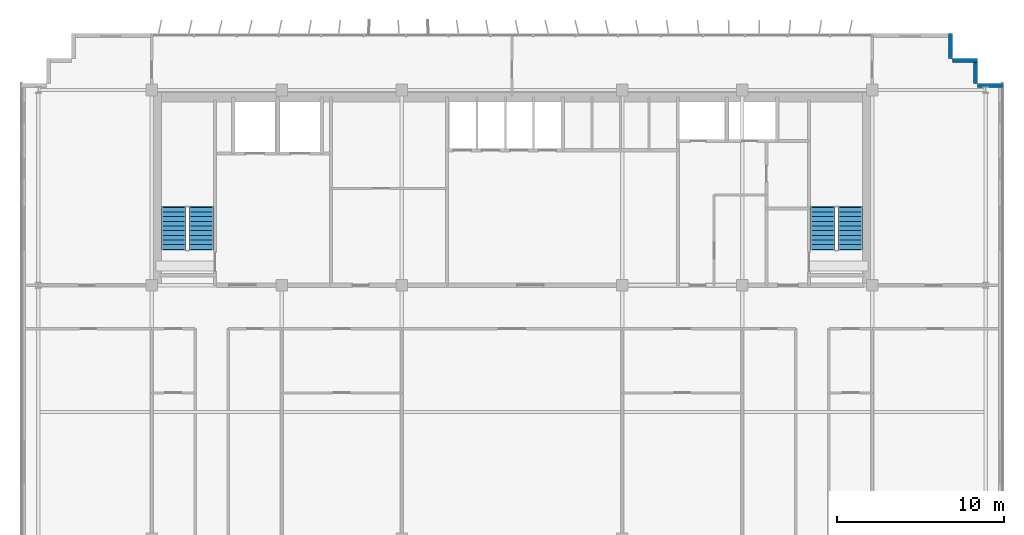
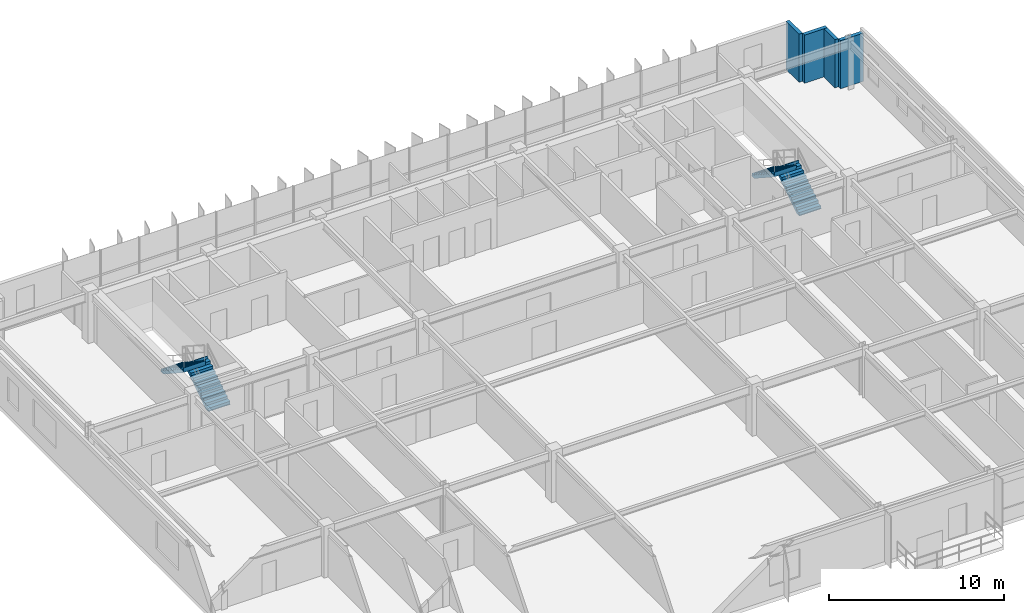
# One storey, part 18 of 20: 4 stair flights, 4 walls, 2 elements without a shape of their own.
"""IFC4 building model written with IfcOpenShell, lengths in metres."""

from ifc_helpers import new_model, si_unit, direction, frame, frame_2d, origin, place, context, subcontext, project, spatial, polyline, rectangle, outline, extrude, source, transform, mapped, material, layer, layer_set, type_object, element, aggregate, save


model = new_model("IFC4")

# Units and contexts
model_context = context("Model", 3, precision=1e-05, world=origin(), true_north=direction((0.0, 1.0)))
body_context = subcontext(model_context, "Body", "Model", "MODEL_VIEW")
ifc_project = project(units=[si_unit("LENGTHUNIT", "METRE"), si_unit("AREAUNIT", "SQUARE_METRE"), si_unit("VOLUMEUNIT", "CUBIC_METRE"), si_unit("PLANEANGLEUNIT", "RADIAN"), si_unit("MASSUNIT", "GRAM", prefix="KILO")], contexts=[model_context])

# Site, building, storey
site_placement = place(None, origin())
site = spatial("IfcSite", under=ifc_project, at=site_placement, CompositionType="ELEMENT")
building_placement = place(site_placement, origin())
building = spatial("IfcBuilding", under=site, at=building_placement, Name="Trelvane Seafront Commons", CompositionType="ELEMENT")
storey_placement = place(building_placement, frame((0.0, 0.0, 146.5)))
storey = spatial("IfcBuildingStorey", under=building, at=storey_placement, Name="L38", CompositionType="ELEMENT", Elevation=146.5)

# Walls
ifc_material_1 = material(Name="Precast concrete C40/50", Category="concrete")
ifc_layer = layer(ifc_material_1, 0.239990234375, Name="ARCH-WALL-EXT240")
ifc_layer_set = layer_set([ifc_layer], Name="Precast concrete C40/50")
wall_type = type_object("IfcWallType", Name="ARCH-WALL-EXT240", PredefinedType="SOLIDWALL", material=ifc_layer_set)
for number, where, z_axis, x_axis, name in (
    (1, (63.47998046875, 48.5, 0.0), (0.0, 0.0, 1.0), (0.0, -1.0, 0.0), "EW-L38-00747"),
    (2, (63.60009765625, 46.8798828125, 0.0), (0.0, 0.0, 1.0), (1.0, 0.0, 0.0), "EW-L38-00748"),
    (3, (64.97998046875, 47.0, 0.0), (0.0, 0.0, 1.0), (0.0, -1.0, 0.0), "EW-L38-00749"),
    (4, (65.10009765625, 45.3798828125, 0.0), (0.0, 0.0, 1.0), (1.0, 0.0, 0.0), "EW-L38-00750"),
):
    element("IfcWall", number, at=place(storey_placement, frame(where, z_axis=z_axis, x_axis=x_axis)), inside=storey, type_object=wall_type, Name=name, PredefinedType="SOLIDWALL", context=body_context, shape_type="SweptSolid", body=[
        extrude(rectangle(XDim=1.5, YDim=0.239990234375, at=frame_2d((0.75, 0.0))), origin(), (0.0, 0.0, 1.0), 3.35009765625),
    ])

# Stair, stair flights
ifc_material_2 = material(Name="Concrete C40/50", Category="concrete")
stair_type_1 = type_object("IfcStairType", Name="ARCH-STR-ST-1-R20-180", PredefinedType="HALF_TURN_STAIR", material=ifc_material_2)
stair_1_placement = place(storey_placement, origin())
stair_1 = element("IfcStair", 5, at=stair_1_placement, inside=storey, type_object=stair_type_1, Name="L38 West Protected Firefighting Exit Stair ST-1", PredefinedType="HALF_TURN_STAIR")
stair_flight_type_1 = type_object("IfcStairFlightType", Name="ARCH-FLG-ST-1-R20-180", PredefinedType="STRAIGHT", material=ifc_material_2)
shared_shape = source(origin(), body_context, "Body", "SweptSolid", [
    extrude(outline(polyline([(-0.050048828125, -0.02001953125), (-0.050048828125, 0.0), (0.0, 0.0), (0.0, 0.179931640625), (0.280029296875, 0.179931640625), (0.280029296875, 0.360107421875), (0.56005859375, 0.360107421875), (0.56005859375, 0.5400390625), (0.840087890625, 0.5400390625), (0.840087890625, 0.719970703125), (1.1201171875, 0.719970703125), (1.1201171875, 0.89990234375), (1.39990234375, 0.89990234375), (1.39990234375, 1.080078125), (1.679931640625, 1.080078125), (1.679931640625, 1.260009765625), (1.9599609375, 1.260009765625), (1.9599609375, 1.43994140625), (2.239990234375, 1.43994140625), (2.239990234375, 1.6201171875), (2.52001953125, 1.6201171875), (2.52001953125, 1.800048828125), (2.570068359375, 1.800048828125), (2.570068359375, 1.650146484375), (2.52001953125, 1.44189453125), (0.277099609375, -0.02001953125), (-0.050048828125, -0.02001953125)])), frame((0.0, 0.72509765625, 0.0), z_axis=(0.0, -1.0, 0.0), x_axis=(1.0, 0.0, 0.0)), (0.0, 0.0, 1.0), 1.449951171875),
])
stair_flight_1_placement = place(storey_placement, frame((18.574951171875, 35.550048828125, 0.0), z_axis=(0.0, 0.0, 1.0), x_axis=(0.0, 1.0, 0.0)))
stair_flight_1 = element("IfcStairFlight", 6, at=stair_flight_1_placement, type_object=stair_flight_type_1, Name="ST-1 flight 1", NumberOfRisers=10, NumberOfTreads=9, PredefinedType="STRAIGHT", RiserHeight=0.18, TreadLength=0.28, context=body_context, shape_type="MappedRepresentation", body=[
    mapped(shared_shape, transform((0.0, 0.0, 0.0), x_axis=(1.0, 0.0, 0.0), y_axis=(0.0, 1.0, 0.0), z_axis=(0.0, 0.0, 1.0), scale=1.0)),
])
stair_flight_2_placement = place(storey_placement, frame((16.925048828125, 38.070068359375, 1.800048828125), z_axis=(0.0, 0.0, 1.0), x_axis=(0.0, -1.0, 0.0)))
stair_flight_2 = element("IfcStairFlight", 7, at=stair_flight_2_placement, type_object=stair_flight_type_1, Name="ST-1 flight 2", NumberOfRisers=10, NumberOfTreads=9, PredefinedType="STRAIGHT", RiserHeight=0.18, TreadLength=0.28, context=body_context, shape_type="MappedRepresentation", body=[
    mapped(shared_shape, transform((0.0, 0.0, 0.0), x_axis=(1.0, 0.0, 0.0), y_axis=(0.0, 1.0, 0.0), z_axis=(0.0, 0.0, 1.0), scale=1.0)),
])
aggregate(stair_1, [stair_flight_1, stair_flight_2])

stair_type_2 = type_object("IfcStairType", Name="ARCH-STR-ST-2-R20-180", PredefinedType="HALF_TURN_STAIR", material=ifc_material_2)
stair_2_placement = place(storey_placement, origin())
stair_2 = element("IfcStair", 8, at=stair_2_placement, inside=storey, type_object=stair_type_2, Name="L38 East Protected Firefighting Exit Stair ST-2", PredefinedType="HALF_TURN_STAIR")
stair_flight_type_2 = type_object("IfcStairFlightType", Name="ARCH-FLG-ST-2-R20-180", PredefinedType="STRAIGHT", material=ifc_material_2)
stair_flight_3_placement = place(storey_placement, frame((57.47509765625, 35.550048828125, 0.0), z_axis=(0.0, 0.0, 1.0), x_axis=(0.0, 1.0, 0.0)))
stair_flight_3 = element("IfcStairFlight", 9, at=stair_flight_3_placement, type_object=stair_flight_type_2, Name="ST-2 flight 1", NumberOfRisers=10, NumberOfTreads=9, PredefinedType="STRAIGHT", RiserHeight=0.18, TreadLength=0.28, context=body_context, shape_type="MappedRepresentation", body=[
    mapped(shared_shape, transform((0.0, 0.0, 0.0), x_axis=(1.0, 0.0, 0.0), y_axis=(0.0, 1.0, 0.0), z_axis=(0.0, 0.0, 1.0), scale=1.0)),
])
stair_flight_4_placement = place(storey_placement, frame((55.824951171875, 38.070068359375, 1.800048828125), z_axis=(0.0, 0.0, 1.0), x_axis=(0.0, -1.0, 0.0)))
stair_flight_4 = element("IfcStairFlight", 10, at=stair_flight_4_placement, type_object=stair_flight_type_2, Name="ST-2 flight 2", NumberOfRisers=10, NumberOfTreads=9, PredefinedType="STRAIGHT", RiserHeight=0.18, TreadLength=0.28, context=body_context, shape_type="MappedRepresentation", body=[
    mapped(shared_shape, transform((0.0, 0.0, 0.0), x_axis=(1.0, 0.0, 0.0), y_axis=(0.0, 1.0, 0.0), z_axis=(0.0, 0.0, 1.0), scale=1.0)),
])
aggregate(stair_2, [stair_flight_3, stair_flight_4])

save(model, "model.ifc")
